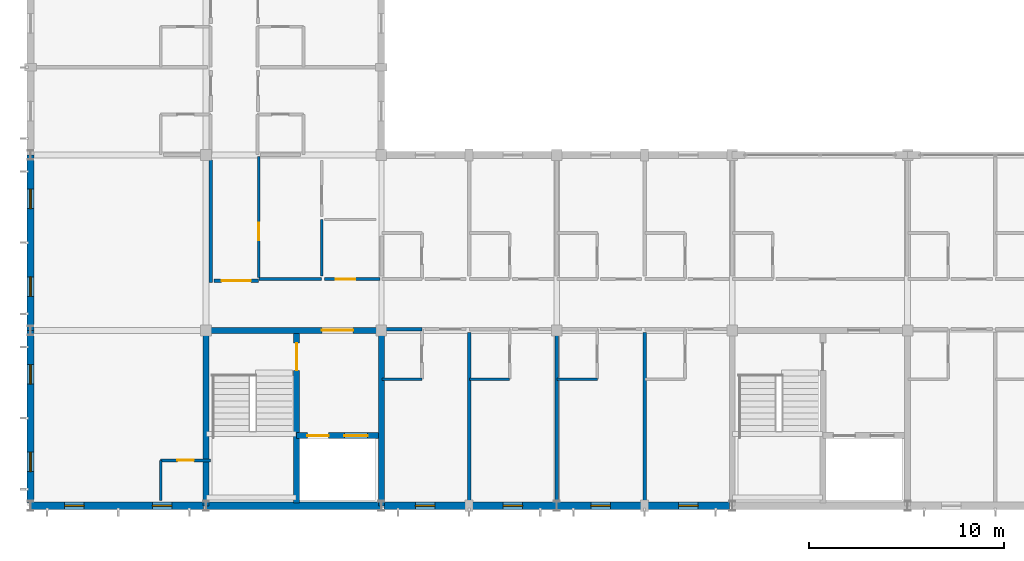
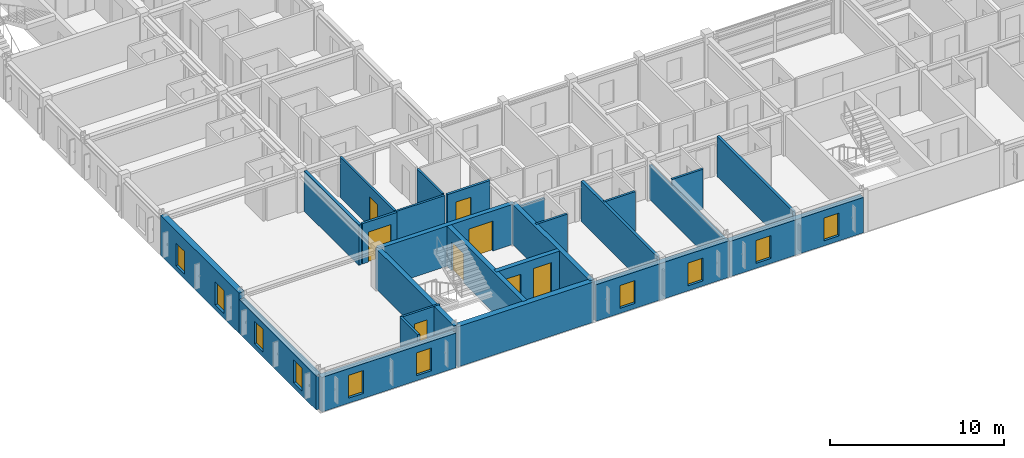
# One storey, part 14 of 30: 26 walls, 10 windows, 8 doors, 18 openings.
"""IFC4 building model written with IfcOpenShell, lengths in metres."""

from ifc_helpers import new_model, si_unit, direction, frame, frame_2d, origin, place, context, subcontext, project, spatial, rectangle, extrude, material, layer, layer_set, type_object, element, fill, save


model = new_model("IFC4")

# Units and contexts
model_context = context("Model", 3, precision=1e-05, world=origin(), true_north=direction((0.0, 1.0)))
body_context = subcontext(model_context, "Body", "Model", "MODEL_VIEW")
ifc_project = project(units=[si_unit("LENGTHUNIT", "METRE"), si_unit("AREAUNIT", "SQUARE_METRE"), si_unit("VOLUMEUNIT", "CUBIC_METRE"), si_unit("PLANEANGLEUNIT", "RADIAN"), si_unit("MASSUNIT", "GRAM", prefix="KILO")], contexts=[model_context])

# Site, building, storey
site_placement = place(None, origin())
site = spatial("IfcSite", under=ifc_project, at=site_placement, CompositionType="ELEMENT")
building_placement = place(site_placement, origin())
building = spatial("IfcBuilding", under=site, at=building_placement, Name="Palais des Congres Ocreval", CompositionType="ELEMENT")
storey_placement = place(building_placement, frame((0.0, 0.0, 14.56005859375)))
storey = spatial("IfcBuildingStorey", under=building, at=storey_placement, Name="L04", CompositionType="ELEMENT", Elevation=14.56005859375)

# Wall, opening, door
ifc_material_1 = material(Name="Moisture-resistant gypsum board")
ifc_layer_1 = layer(ifc_material_1, 0.139892578125)
ifc_layer_set_1 = layer_set([ifc_layer_1], Name="Bathroom Plumbing Chase Wall 140 Gypsum (Moisture-resistant gypsum board)")
wall_type_1 = type_object("IfcWallType", Name="Bathroom Plumbing Chase Wall 140 Gypsum", PredefinedType="PLUMBINGWALL", material=ifc_layer_set_1)
wall_1_placement = place(storey_placement, frame((6.679931640625, 2.330078125, 0.0), z_axis=(0.0, 0.0, 1.0), x_axis=(1.0, 0.0, 0.0)))
wall_1 = element("IfcWall", 1, at=wall_1_placement, inside=storey, type_object=wall_type_1, Name="Bathroom Plumbing Wall PW03 L04", PredefinedType="PLUMBINGWALL", context=body_context, shape_type="SweptSolid", body=[
    extrude(rectangle(XDim=2.56005859375, YDim=0.139892578125, at=frame_2d((1.280029296875, 0.0))), origin(), (0.0, 0.0, 1.0), 2.81982421875),
])
opening_1_placement = place(wall_1_placement, frame((0.85498046875, 0.0, 0.0)))
opening_1 = element("IfcOpeningElement", 2, at=opening_1_placement, cuts=wall_1, Name="Opening D08", PredefinedType="OPENING", context=body_context, shape_type="SweptSolid", body=[
    extrude(rectangle(XDim=0.85009765625, YDim=2.0400390625, at=frame_2d((0.425048828125, 1.02001953125))), frame((0.0, 0.079833984375, 0.0), z_axis=(0.0, -1.0, 0.0), x_axis=(1.0, 0.0, 0.0)), (0.0, 0.0, 1.0), 0.159912109375),
])
ifc_material_2 = material(Name="Solid French oak", Category="wood")
door_type_1 = type_object("IfcDoorType", Name="En-Suite Bathroom Door 850x2040", OperationType="NOTDEFINED", PredefinedType="DOOR", material=ifc_material_2)
door_1_placement = place(opening_1_placement, origin())
door_1 = element("IfcDoor", 3, at=door_1_placement, inside=storey, type_object=door_type_1, Name="En-Suite Bathroom Door D08 L04", OperationType="SINGLE_SWING_RIGHT", OverallHeight=2.0400390625, OverallWidth=0.85009765625, PredefinedType="DOOR", context=body_context, shape_type="SweptSolid", body=[
    extrude(rectangle(XDim=0.85009765625, YDim=2.0400390625, at=frame_2d((0.425048828125, 1.02001953125))), frame((0.0, 0.02490234375, 0.0), z_axis=(0.0, -1.0, 0.0), x_axis=(1.0, 0.0, 0.0)), (0.0, 0.0, 1.0), 0.050048828125),
])
fill(opening_1, door_1)

# Walls
for number, where, z_axis, x_axis, name in (
    (4, (6.679931640625, 0.27001953125, 0.0), (0.0, 0.0, 1.0), (0.0, 1.0, 0.0), "Bathroom Plumbing Wall PW03 L04"),
    (5, (18.02001953125, 6.5, 0.0), (0.0, 0.0, 1.0), (1.0, 0.0, 0.0), "Bathroom Plumbing Wall PW03 L04"),
    (6, (22.52001953125, 6.5, 0.0), (0.0, 0.0, 1.0), (1.0, 0.0, 0.0), "Bathroom Plumbing Wall PW03 L04"),
    (7, (27.02001953125, 6.5, 0.0), (0.0, 0.0, 1.0), (1.0, 0.0, 0.0), "Bathroom Plumbing Wall PW03 L04"),
):
    element("IfcWall", number, at=place(storey_placement, frame(where, z_axis=z_axis, x_axis=x_axis)), inside=storey, type_object=wall_type_1, Name=name, PredefinedType="PLUMBINGWALL", context=body_context, shape_type="SweptSolid", body=[
        extrude(rectangle(XDim=2.06005859375, YDim=0.139892578125, at=frame_2d((1.030029296875, 0.0))), origin(), (0.0, 0.0, 1.0), 2.81982421875),
    ])
wall_2_placement = place(storey_placement, frame((11.719970703125, 11.635009765625, 0.0), z_axis=(0.0, 0.0, 1.0), x_axis=(1.0, 0.0, 0.0)))
element("IfcWall", 8, at=wall_2_placement, inside=storey, type_object=wall_type_1, Name="Interior Partition PW03 L04", PredefinedType="PLUMBINGWALL", context=body_context, shape_type="SweptSolid", body=[
    extrude(rectangle(XDim=3.2099609375, YDim=0.139892578125, at=frame_2d((1.60498046875, 0.0))), origin(), (0.0, 0.0, 1.0), 2.81982421875),
])
wall_3_placement = place(storey_placement, frame((14.93505859375, 11.7900390625, 0.0), z_axis=(0.0, 0.0, 1.0), x_axis=(0.0, 1.0, 0.0)))
element("IfcWall", 9, at=wall_3_placement, inside=storey, type_object=wall_type_1, Name="Interior Partition PW03 L04", PredefinedType="PLUMBINGWALL", context=body_context, shape_type="SweptSolid", body=[
    extrude(rectangle(XDim=2.889892578125, YDim=0.139892578125, at=frame_2d((1.44482421875, 0.0))), origin(), (0.0, 0.0, 1.0), 2.81982421875),
])

# Wall, opening, door
wall_4_placement = place(storey_placement, frame((11.7099609375, 11.705078125, 0.0), z_axis=(0.0, 0.0, 1.0), x_axis=(0.0, 1.0, 0.0)))
wall_4 = element("IfcWall", 10, at=wall_4_placement, inside=storey, type_object=wall_type_1, Name="Interior Partition PW03 L04", PredefinedType="PLUMBINGWALL", context=body_context, shape_type="SweptSolid", body=[
    extrude(rectangle(XDim=6.219970703125, YDim=0.139892578125, at=frame_2d((3.10986328125, 0.0))), origin(), (0.0, 0.0, 1.0), 2.81982421875),
])
opening_2_placement = place(wall_4_placement, frame((1.91357421875, 0.0, 0.0)))
opening_2 = element("IfcOpeningElement", 11, at=opening_2_placement, cuts=wall_4, Name="Opening D09", PredefinedType="OPENING", context=body_context, shape_type="SweptSolid", body=[
    extrude(rectangle(XDim=0.89990234375, YDim=2.10009765625, at=frame_2d((0.449951171875, 1.050048828125))), frame((0.0, 0.079833984375, 0.0), z_axis=(0.0, -1.0, 0.0), x_axis=(1.0, 0.0, 0.0)), (0.0, 0.0, 1.0), 0.159912109375),
])
door_type_2 = type_object("IfcDoorType", Name="Accessible Restroom Door 900x2100", OperationType="NOTDEFINED", PredefinedType="DOOR", material=ifc_material_2)
door_2_placement = place(opening_2_placement, origin())
door_2 = element("IfcDoor", 12, at=door_2_placement, inside=storey, type_object=door_type_2, Name="Interior Door D09 L04", OperationType="SINGLE_SWING_LEFT", OverallHeight=2.10009765625, OverallWidth=0.89990234375, PredefinedType="DOOR", context=body_context, shape_type="SweptSolid", body=[
    extrude(rectangle(XDim=0.89990234375, YDim=2.10009765625, at=frame_2d((0.449951171875, 1.050048828125))), frame((0.0, 0.02490234375, 0.0), z_axis=(0.0, -1.0, 0.0), x_axis=(1.0, 0.0, 0.0)), (0.0, 0.0, 1.0), 0.050048828125),
])
fill(opening_2, door_2)

# Wall
ifc_material_3 = material(Name="Concrete C40/50", Category="concrete")
ifc_layer_2 = layer(ifc_material_3, 0.300048828125)
ifc_layer_set_2 = layer_set([ifc_layer_2], Name="Core Shear Wall 300 Concrete C40/50")
wall_type_2 = type_object("IfcWallType", Name="Core Shear Wall 300 Concrete C40/50", PredefinedType="SHEAR", material=ifc_layer_set_2)
wall_5_placement = place(storey_placement, frame((18.0, 0.0, 0.0), z_axis=(0.0, 0.0, 1.0), x_axis=(0.0, 1.0, 0.0)))
element("IfcWall", 13, at=wall_5_placement, inside=storey, type_object=wall_type_2, Name="Core Shear Wall SC01 L04 E", PredefinedType="SHEAR", context=body_context, shape_type="SweptSolid", body=[
    extrude(rectangle(XDim=9.0, YDim=0.300048828125, at=frame_2d((4.5, 0.0))), origin(), (0.0, 0.0, 1.0), 2.81982421875),
])

# Wall, opening, door
wall_6_placement = place(storey_placement, frame((9.0, 9.0, 0.0), z_axis=(0.0, 0.0, 1.0), x_axis=(1.0, 0.0, 0.0)))
wall_6 = element("IfcWall", 14, at=wall_6_placement, inside=storey, type_object=wall_type_2, Name="Core Shear Wall SC01 L04 N", PredefinedType="SHEAR", context=body_context, shape_type="SweptSolid", body=[
    extrude(rectangle(XDim=9.0, YDim=0.300048828125, at=frame_2d((4.5, 0.0))), origin(), (0.0, 0.0, 1.0), 2.81982421875),
])
opening_3_placement = place(wall_6_placement, frame((5.949951171875, 0.0, 0.0)))
opening_3 = element("IfcOpeningElement", 15, at=opening_3_placement, cuts=wall_6, Name="Opening D02", PredefinedType="OPENING", context=body_context, shape_type="SweptSolid", body=[
    extrude(rectangle(XDim=1.60009765625, YDim=2.10009765625, at=frame_2d((0.800048828125, 1.050048828125))), frame((0.0, 0.159912109375, 0.0), z_axis=(0.0, -1.0, 0.0), x_axis=(1.0, 0.0, 0.0)), (0.0, 0.0, 1.0), 0.320068359375),
])
ifc_material_4 = material(Name="Painted fire-rated steel", Category="steel")
door_type_3 = type_object("IfcDoorType", Name="Firefighting Lobby Rated Door 1600x2100", OperationType="NOTDEFINED", PredefinedType="DOOR", material=ifc_material_4)
door_3_placement = place(opening_3_placement, origin())
door_3 = element("IfcDoor", 16, at=door_3_placement, inside=storey, type_object=door_type_3, Name="Firefighting Lobby Entrance Door SC01 L04", OperationType="DOUBLE_DOOR_SINGLE_SWING", OverallHeight=2.10009765625, OverallWidth=1.60009765625, PredefinedType="DOOR", context=body_context, shape_type="SweptSolid", body=[
    extrude(rectangle(XDim=1.60009765625, YDim=2.10009765625, at=frame_2d((0.800048828125, 1.050048828125))), frame((0.0, 0.02490234375, 0.0), z_axis=(0.0, -1.0, 0.0), x_axis=(1.0, 0.0, 0.0)), (0.0, 0.0, 1.0), 0.050048828125),
])
fill(opening_3, door_3)

# Wall
wall_7_placement = place(storey_placement, frame((9.0, 0.0, 0.0), z_axis=(0.0, 0.0, 1.0), x_axis=(0.0, 1.0, 0.0)))
element("IfcWall", 17, at=wall_7_placement, inside=storey, type_object=wall_type_2, Name="Core Shear Wall SC01 L04 W", PredefinedType="SHEAR", context=body_context, shape_type="SweptSolid", body=[
    extrude(rectangle(XDim=9.0, YDim=0.300048828125, at=frame_2d((4.5, 0.0))), origin(), (0.0, 0.0, 1.0), 2.81982421875),
])

# Wall, opening, door
wall_8_placement = place(storey_placement, frame((13.64990234375, 0.14990234375, 0.0), z_axis=(0.0, 0.0, 1.0), x_axis=(0.0, 1.0, 0.0)))
wall_8 = element("IfcWall", 18, at=wall_8_placement, inside=storey, type_object=wall_type_2, Name="Core Spine Shear Wall SC01 L04", PredefinedType="SHEAR", context=body_context, shape_type="SweptSolid", body=[
    extrude(rectangle(XDim=8.7001953125, YDim=0.300048828125, at=frame_2d((4.35009765625, 0.0))), origin(), (0.0, 0.0, 1.0), 2.81982421875),
])
opening_4_placement = place(wall_8_placement, frame((6.800048828125, 0.0, 0.0)))
opening_4 = element("IfcOpeningElement", 19, at=opening_4_placement, cuts=wall_8, Name="Opening D03", PredefinedType="OPENING", context=body_context, shape_type="SweptSolid", body=[
    extrude(rectangle(XDim=1.39990234375, YDim=2.02001953125, at=frame_2d((0.699951171875, 1.010009765625))), frame((0.0, 0.159912109375, 0.0), z_axis=(0.0, -1.0, 0.0), x_axis=(1.0, 0.0, 0.0)), (0.0, 0.0, 1.0), 0.320068359375),
])
door_type_4 = type_object("IfcDoorType", Name="Core Lobby Rated Door 1400x2020", OperationType="NOTDEFINED", PredefinedType="DOOR", material=ifc_material_4)
door_4_placement = place(opening_4_placement, origin())
door_4 = element("IfcDoor", 20, at=door_4_placement, inside=storey, type_object=door_type_4, Name="Protected Exit Stair Door ST01 L04", OperationType="SINGLE_SWING_LEFT", OverallHeight=2.02001953125, OverallWidth=1.39990234375, PredefinedType="DOOR", context=body_context, shape_type="SweptSolid", body=[
    extrude(rectangle(XDim=1.39990234375, YDim=2.02001953125, at=frame_2d((0.699951171875, 1.010009765625))), frame((0.0, 0.02490234375, 0.0), z_axis=(0.0, -1.0, 0.0), x_axis=(1.0, 0.0, 0.0)), (0.0, 0.0, 1.0), 0.050048828125),
])
fill(opening_4, door_4)

# Wall, openings, doors
wall_9_placement = place(storey_placement, frame((13.64990234375, 3.60009765625, 0.0), z_axis=(0.0, 0.0, 1.0), x_axis=(1.0, 0.0, 0.0)))
wall_9 = element("IfcWall", 21, at=wall_9_placement, inside=storey, type_object=wall_type_2, Name="Lift Shaft Front Wall SC01 L04", PredefinedType="SHEAR", context=body_context, shape_type="SweptSolid", body=[
    extrude(rectangle(XDim=4.2001953125, YDim=0.300048828125, at=frame_2d((2.10009765625, 0.0))), origin(), (0.0, 0.0, 1.0), 2.81982421875),
])
opening_5_placement = place(wall_9_placement, frame((0.550048828125, 0.0, 0.0)))
opening_5 = element("IfcOpeningElement", 22, at=opening_5_placement, cuts=wall_9, Name="Opening LD01", PredefinedType="OPENING", context=body_context, shape_type="SweptSolid", body=[
    extrude(rectangle(XDim=1.10009765625, YDim=2.10009765625, at=frame_2d((0.550048828125, 1.050048828125))), frame((0.0, 0.159912109375, 0.0), z_axis=(0.0, -1.0, 0.0), x_axis=(1.0, 0.0, 0.0)), (0.0, 0.0, 1.0), 0.320068359375),
])
opening_6_placement = place(wall_9_placement, frame((2.449951171875, 0.0, 0.0)))
opening_6 = element("IfcOpeningElement", 23, at=opening_6_placement, cuts=wall_9, Name="Opening LD02", PredefinedType="OPENING", context=body_context, shape_type="SweptSolid", body=[
    extrude(rectangle(XDim=1.199951171875, YDim=2.199951171875, at=frame_2d((0.60009765625, 1.10009765625))), frame((0.0, 0.159912109375, 0.0), z_axis=(0.0, -1.0, 0.0), x_axis=(1.0, 0.0, 0.0)), (0.0, 0.0, 1.0), 0.320068359375),
])
ifc_material_5 = material(Name="Stainless steel", Category="steel")
door_type_5 = type_object("IfcDoorType", Name="Firefighting Lift Sliding Landing Door 1100x2100", OperationType="NOTDEFINED", PredefinedType="DOOR", material=ifc_material_5)
door_5_placement = place(opening_5_placement, origin())
door_5 = element("IfcDoor", 24, at=door_5_placement, inside=storey, type_object=door_type_5, Name="Lift Landing Sliding Door FF1 L04", OperationType="DOUBLE_DOOR_SLIDING", OverallHeight=2.10009765625, OverallWidth=1.10009765625, PredefinedType="DOOR", context=body_context, shape_type="SweptSolid", body=[
    extrude(rectangle(XDim=1.10009765625, YDim=2.10009765625, at=frame_2d((0.550048828125, 1.050048828125))), frame((0.0, 0.02490234375, 0.0), z_axis=(0.0, -1.0, 0.0), x_axis=(1.0, 0.0, 0.0)), (0.0, 0.0, 1.0), 0.050048828125),
])
fill(opening_5, door_5)
ifc_material_6 = material(Name="Anodized bronze steel", Category="steel")
door_type_6 = type_object("IfcDoorType", Name="Passenger and Service Lift Sliding Door 1200x2200", OperationType="NOTDEFINED", PredefinedType="DOOR", material=ifc_material_6)
door_6_placement = place(opening_6_placement, origin())
door_6 = element("IfcDoor", 25, at=door_6_placement, inside=storey, type_object=door_type_6, Name="Lift Landing Sliding Door PL1 L04", OperationType="DOUBLE_DOOR_SLIDING", OverallHeight=2.199951171875, OverallWidth=1.199951171875, PredefinedType="DOOR", context=body_context, shape_type="SweptSolid", body=[
    extrude(rectangle(XDim=1.199951171875, YDim=2.199951171875, at=frame_2d((0.60009765625, 1.10009765625))), frame((0.0, 0.02490234375, 0.0), z_axis=(0.0, -1.0, 0.0), x_axis=(1.0, 0.0, 0.0)), (0.0, 0.0, 1.0), 0.050048828125),
])
fill(opening_6, door_6)

# Wall
ifc_material_7 = material(Name="Gypsum acoustic partition")
ifc_layer_3 = layer(ifc_material_7, 0.159912109375)
ifc_layer_set_3 = layer_set([ifc_layer_3], Name="Corridor Fire Partition 160 Gypsum (Gypsum acoustic partition)")
wall_type_3 = type_object("IfcWallType", Name="Corridor Fire Partition 160 Gypsum", PredefinedType="PARTITIONING", material=ifc_layer_set_3)
wall_10_placement = place(storey_placement, frame((18.02001953125, 9.06005859375, 0.0), z_axis=(0.0, 0.0, 1.0), x_axis=(1.0, 0.0, 0.0)))
element("IfcWall", 26, at=wall_10_placement, inside=storey, type_object=wall_type_3, Name="Corridor Partition IW03 L04", PredefinedType="PARTITIONING", context=body_context, shape_type="SweptSolid", body=[
    extrude(rectangle(XDim=2.06005859375, YDim=0.159912109375, at=frame_2d((1.030029296875, 0.0))), origin(), (0.0, 0.0, 1.0), 2.389892578125),
])

# Wall, opening, door
wall_11_placement = place(storey_placement, frame((9.405029296875, 11.550048828125, 0.0), z_axis=(0.0, 0.0, 1.0), x_axis=(1.0, 0.0, 0.0)))
wall_11 = element("IfcWall", 27, at=wall_11_placement, inside=storey, type_object=wall_type_3, Name="Interior Partition IW03 L04", PredefinedType="PARTITIONING", context=body_context, shape_type="SweptSolid", body=[
    extrude(rectangle(XDim=2.294921875, YDim=0.159912109375, at=frame_2d((1.1474609375, 0.0))), origin(), (0.0, 0.0, 1.0), 2.81982421875),
])
opening_7_placement = place(wall_11_placement, frame((0.3974609375, 0.0, 0.0)))
opening_7 = element("IfcOpeningElement", 28, at=opening_7_placement, cuts=wall_11, Name="Opening D04", PredefinedType="OPENING", context=body_context, shape_type="SweptSolid", body=[
    extrude(rectangle(XDim=1.5, YDim=2.10009765625, at=frame_2d((0.75, 1.050048828125))), frame((0.0, 0.08984375, 0.0), z_axis=(0.0, -1.0, 0.0), x_axis=(1.0, 0.0, 0.0)), (0.0, 0.0, 1.0), 0.179931640625),
])
ifc_material_8 = material(Name="Solid French oak fire door", Category="wood")
door_type_7 = type_object("IfcDoorType", Name="Corridor Compartment Double Door 1500x2100", OperationType="NOTDEFINED", PredefinedType="DOOR", material=ifc_material_8)
door_7_placement = place(opening_7_placement, origin())
door_7 = element("IfcDoor", 29, at=door_7_placement, inside=storey, type_object=door_type_7, Name="Interior Door D04 L04", OperationType="DOUBLE_DOOR_SINGLE_SWING", OverallHeight=2.10009765625, OverallWidth=1.5, PredefinedType="DOOR", context=body_context, shape_type="SweptSolid", body=[
    extrude(rectangle(XDim=1.5, YDim=2.10009765625, at=frame_2d((0.75, 1.050048828125))), frame((0.0, 0.02490234375, 0.0), z_axis=(0.0, -1.0, 0.0), x_axis=(1.0, 0.0, 0.0)), (0.0, 0.0, 1.0), 0.050048828125),
])
fill(opening_7, door_7)

wall_12_placement = place(storey_placement, frame((15.090087890625, 11.635009765625, 0.0), z_axis=(0.0, 0.0, 1.0), x_axis=(1.0, 0.0, 0.0)))
wall_12 = element("IfcWall", 30, at=wall_12_placement, inside=storey, type_object=wall_type_3, Name="Interior Partition IW03 L04", PredefinedType="PARTITIONING", context=body_context, shape_type="SweptSolid", body=[
    extrude(rectangle(XDim=2.8349609375, YDim=0.159912109375, at=frame_2d((1.41748046875, 0.0))), origin(), (0.0, 0.0, 1.0), 2.81982421875),
])
opening_8_placement = place(wall_12_placement, frame((0.577392578125, 0.0, 0.0)))
opening_8 = element("IfcOpeningElement", 31, at=opening_8_placement, cuts=wall_12, Name="Opening D10", PredefinedType="OPENING", context=body_context, shape_type="SweptSolid", body=[
    extrude(rectangle(XDim=1.0, YDim=2.10009765625, at=frame_2d((0.5, 1.050048828125))), frame((0.0, 0.08984375, 0.0), z_axis=(0.0, -1.0, 0.0), x_axis=(1.0, 0.0, 0.0)), (0.0, 0.0, 1.0), 0.179931640625),
])
ifc_material_9 = material(Name="Painted steel", Category="steel")
door_type_8 = type_object("IfcDoorType", Name="Service and Pantry Door 1000x2100", OperationType="NOTDEFINED", PredefinedType="DOOR", material=ifc_material_9)
door_8_placement = place(opening_8_placement, origin())
door_8 = element("IfcDoor", 32, at=door_8_placement, inside=storey, type_object=door_type_8, Name="Interior Door D10 L04", OperationType="SINGLE_SWING_LEFT", OverallHeight=2.10009765625, OverallWidth=1.0, PredefinedType="DOOR", context=body_context, shape_type="SweptSolid", body=[
    extrude(rectangle(XDim=1.0, YDim=2.10009765625, at=frame_2d((0.5, 1.050048828125))), frame((0.0, 0.02490234375, 0.0), z_axis=(0.0, -1.0, 0.0), x_axis=(1.0, 0.0, 0.0)), (0.0, 0.0, 1.0), 0.050048828125),
])
fill(opening_8, door_8)

# Walls
ifc_layer_4 = layer(ifc_material_7, 0.179931640625)
ifc_layer_set_4 = layer_set([ifc_layer_4], Name="Hotel Inter-Room Acoustic Partition 180 Gypsum (Gypsum acoustic partition)")
wall_type_4 = type_object("IfcWallType", Name="Hotel Inter-Room Acoustic Partition 180 Gypsum", PredefinedType="PARTITIONING", material=ifc_layer_set_4)
wall_13_placement = place(storey_placement, frame((9.25, 11.449951171875, 0.0), z_axis=(0.0, 0.0, 1.0), x_axis=(0.0, 1.0, 0.0)))
element("IfcWall", 33, at=wall_13_placement, inside=storey, type_object=wall_type_4, Name="Hotel Party Partition IW02 L04", PredefinedType="PARTITIONING", context=body_context, shape_type="SweptSolid", body=[
    extrude(rectangle(XDim=6.300048828125, YDim=0.179931640625, at=frame_2d((3.14990234375, 0.0))), origin(), (0.0, 0.0, 1.0), 2.81982421875),
])
wall_14_placement = place(storey_placement, frame((22.5, 0.195068359375, 0.0), z_axis=(0.0, 0.0, 1.0), x_axis=(0.0, 1.0, 0.0)))
element("IfcWall", 34, at=wall_14_placement, inside=storey, type_object=wall_type_4, Name="Hotel Party Partition IW02 L04", PredefinedType="PARTITIONING", context=body_context, shape_type="SweptSolid", body=[
    extrude(rectangle(XDim=8.7099609375, YDim=0.179931640625, at=frame_2d((4.35498046875, 0.0))), origin(), (0.0, 0.0, 1.0), 2.81982421875),
])
wall_15_placement = place(storey_placement, frame((27.0, 0.195068359375, 0.0), z_axis=(0.0, 0.0, 1.0), x_axis=(0.0, 1.0, 0.0)))
element("IfcWall", 35, at=wall_15_placement, inside=storey, type_object=wall_type_4, Name="Hotel Party Partition IW02 L04", PredefinedType="PARTITIONING", context=body_context, shape_type="SweptSolid", body=[
    extrude(rectangle(XDim=8.7099609375, YDim=0.179931640625, at=frame_2d((4.35498046875, 0.0))), origin(), (0.0, 0.0, 1.0), 2.389892578125),
])
wall_16_placement = place(storey_placement, frame((31.5, 0.195068359375, 0.0), z_axis=(0.0, 0.0, 1.0), x_axis=(0.0, 1.0, 0.0)))
element("IfcWall", 36, at=wall_16_placement, inside=storey, type_object=wall_type_4, Name="Hotel Party Partition IW02 L04", PredefinedType="PARTITIONING", context=body_context, shape_type="SweptSolid", body=[
    extrude(rectangle(XDim=8.7099609375, YDim=0.179931640625, at=frame_2d((4.35498046875, 0.0))), origin(), (0.0, 0.0, 1.0), 2.81982421875),
])

# Wall, openings, windows
ifc_layer_5 = layer(ifc_material_3, 0.3798828125)
ifc_layer_set_5 = layer_set([ifc_layer_5], Name="Lutetian Limestone Street Wall 380 Concrete C40/50")
wall_type_5 = type_object("IfcWallType", Name="Lutetian Limestone Street Wall 380 Concrete C40/50", PredefinedType="SOLIDWALL", material=ifc_layer_set_5)
wall_17_placement = place(storey_placement, frame((35.8701171875, 0.0, 0.0), z_axis=(0.0, 0.0, 1.0), x_axis=(-1.0, 0.0, 0.0)))
wall_17 = element("IfcWall", 37, at=wall_17_placement, inside=storey, type_object=wall_type_5, Name="Exterior Wall EW03 L04", PredefinedType="SOLIDWALL", context=body_context, shape_type="SweptSolid", body=[
    extrude(rectangle(XDim=8.8701171875, YDim=0.3798828125, at=frame_2d((4.43505859375, 0.0))), origin(), (0.0, 0.0, 1.0), 2.47998046875),
])
opening_9_placement = place(wall_17_placement, frame((1.6201171875, 0.0, 0.35009765625)))
opening_9 = element("IfcOpeningElement", 38, at=opening_9_placement, cuts=wall_17, Name="Opening WN18", PredefinedType="OPENING", context=body_context, shape_type="SweptSolid", body=[
    extrude(rectangle(XDim=1.0, YDim=1.60009765625, at=frame_2d((0.5, 0.800048828125))), frame((0.0, 0.199951171875, 0.0), z_axis=(0.0, -1.0, 0.0), x_axis=(1.0, 0.0, 0.0)), (0.0, 0.0, 1.0), 0.39990234375),
])
opening_10_placement = place(wall_17_placement, frame((6.1201171875, 0.0, 0.35009765625)))
opening_10 = element("IfcOpeningElement", 39, at=opening_10_placement, cuts=wall_17, Name="Opening WN18", PredefinedType="OPENING", context=body_context, shape_type="SweptSolid", body=[
    extrude(rectangle(XDim=1.0, YDim=1.60009765625, at=frame_2d((0.5, 0.800048828125))), frame((0.0, 0.199951171875, 0.0), z_axis=(0.0, -1.0, 0.0), x_axis=(1.0, 0.0, 0.0)), (0.0, 0.0, 1.0), 0.39990234375),
])
ifc_material_10 = material(Name="Anodized bronze aluminium and low-E glass", Category="glass")
window_type = type_object("IfcWindowType", Name="Stair and Lobby Daylight Window 1000x1600", PartitioningType="SINGLE_PANEL", PredefinedType="WINDOW", material=ifc_material_10)
window_1_placement = place(opening_9_placement, origin())
window_1 = element("IfcWindow", 40, at=window_1_placement, inside=storey, type_object=window_type, Name="Hotel Facade Window WN18", OverallHeight=1.60009765625, OverallWidth=1.0, PartitioningType="SINGLE_PANEL", PredefinedType="WINDOW", context=body_context, shape_type="SweptSolid", body=[
    extrude(rectangle(XDim=1.0, YDim=1.60009765625, at=frame_2d((0.5, 0.800048828125))), frame((0.0, 0.030029296875, 0.0), z_axis=(0.0, -1.0, 0.0), x_axis=(1.0, 0.0, 0.0)), (0.0, 0.0, 1.0), 0.06005859375),
])
fill(opening_9, window_1)
window_2_placement = place(opening_10_placement, origin())
window_2 = element("IfcWindow", 41, at=window_2_placement, inside=storey, type_object=window_type, Name="Hotel Facade Window WN18", OverallHeight=1.60009765625, OverallWidth=1.0, PartitioningType="SINGLE_PANEL", PredefinedType="WINDOW", context=body_context, shape_type="SweptSolid", body=[
    extrude(rectangle(XDim=1.0, YDim=1.60009765625, at=frame_2d((0.5, 0.800048828125))), frame((0.0, 0.030029296875, 0.0), z_axis=(0.0, -1.0, 0.0), x_axis=(1.0, 0.0, 0.0)), (0.0, 0.0, 1.0), 0.06005859375),
])
fill(opening_10, window_2)

wall_18_placement = place(storey_placement, frame((27.0, 0.0, 0.0), z_axis=(0.0, 0.0, 1.0), x_axis=(-1.0, 0.0, 0.0)))
wall_18 = element("IfcWall", 42, at=wall_18_placement, inside=storey, type_object=wall_type_5, Name="Exterior Wall EW03 L04", PredefinedType="SOLIDWALL", context=body_context, shape_type="SweptSolid", body=[
    extrude(rectangle(XDim=8.8701171875, YDim=0.3798828125, at=frame_2d((4.43505859375, 0.0))), origin(), (0.0, 0.0, 1.0), 2.550048828125),
])
opening_11_placement = place(wall_18_placement, frame((1.75, 0.0, 0.35009765625)))
opening_11 = element("IfcOpeningElement", 43, at=opening_11_placement, cuts=wall_18, Name="Opening WN18", PredefinedType="OPENING", context=body_context, shape_type="SweptSolid", body=[
    extrude(rectangle(XDim=1.0, YDim=1.60009765625, at=frame_2d((0.5, 0.800048828125))), frame((0.0, 0.199951171875, 0.0), z_axis=(0.0, -1.0, 0.0), x_axis=(1.0, 0.0, 0.0)), (0.0, 0.0, 1.0), 0.39990234375),
])
opening_12_placement = place(wall_18_placement, frame((6.25, 0.0, 0.35009765625)))
opening_12 = element("IfcOpeningElement", 44, at=opening_12_placement, cuts=wall_18, Name="Opening WN18", PredefinedType="OPENING", context=body_context, shape_type="SweptSolid", body=[
    extrude(rectangle(XDim=1.0, YDim=1.60009765625, at=frame_2d((0.5, 0.800048828125))), frame((0.0, 0.199951171875, 0.0), z_axis=(0.0, -1.0, 0.0), x_axis=(1.0, 0.0, 0.0)), (0.0, 0.0, 1.0), 0.39990234375),
])
window_3_placement = place(opening_11_placement, origin())
window_3 = element("IfcWindow", 45, at=window_3_placement, inside=storey, type_object=window_type, Name="Hotel Facade Window WN18", OverallHeight=1.60009765625, OverallWidth=1.0, PartitioningType="SINGLE_PANEL", PredefinedType="WINDOW", context=body_context, shape_type="SweptSolid", body=[
    extrude(rectangle(XDim=1.0, YDim=1.60009765625, at=frame_2d((0.5, 0.800048828125))), frame((0.0, 0.030029296875, 0.0), z_axis=(0.0, -1.0, 0.0), x_axis=(1.0, 0.0, 0.0)), (0.0, 0.0, 1.0), 0.06005859375),
])
fill(opening_11, window_3)
window_4_placement = place(opening_12_placement, origin())
window_4 = element("IfcWindow", 46, at=window_4_placement, inside=storey, type_object=window_type, Name="Hotel Facade Window WN18", OverallHeight=1.60009765625, OverallWidth=1.0, PartitioningType="SINGLE_PANEL", PredefinedType="WINDOW", context=body_context, shape_type="SweptSolid", body=[
    extrude(rectangle(XDim=1.0, YDim=1.60009765625, at=frame_2d((0.5, 0.800048828125))), frame((0.0, 0.030029296875, 0.0), z_axis=(0.0, -1.0, 0.0), x_axis=(1.0, 0.0, 0.0)), (0.0, 0.0, 1.0), 0.06005859375),
])
fill(opening_12, window_4)

# Wall
wall_19_placement = place(storey_placement, frame((18.0, 0.0, 0.0), z_axis=(0.0, 0.0, 1.0), x_axis=(-1.0, 0.0, 0.0)))
element("IfcWall", 47, at=wall_19_placement, inside=storey, type_object=wall_type_5, Name="Core Perimeter Shear Wall EW03 SC01 L04", PredefinedType="SOLIDWALL", context=body_context, shape_type="SweptSolid", body=[
    extrude(rectangle(XDim=9.0, YDim=0.3798828125, at=frame_2d((4.5, 0.0))), origin(), (0.0, 0.0, 1.0), 2.81982421875),
])

# Wall, openings, windows
wall_20_placement = place(storey_placement, frame((8.8701171875, 0.0, 0.0), z_axis=(0.0, 0.0, 1.0), x_axis=(-1.0, 0.0, 0.0)))
wall_20 = element("IfcWall", 48, at=wall_20_placement, inside=storey, type_object=wall_type_5, Name="Exterior Wall EW03 L04", PredefinedType="SOLIDWALL", context=body_context, shape_type="SweptSolid", body=[
    extrude(rectangle(XDim=8.8701171875, YDim=0.3798828125, at=frame_2d((4.43505859375, 0.0))), origin(), (0.0, 0.0, 1.0), 2.419921875),
])
opening_13_placement = place(wall_20_placement, frame((1.6201171875, 0.0, 0.35009765625)))
opening_13 = element("IfcOpeningElement", 49, at=opening_13_placement, cuts=wall_20, Name="Opening WN18", PredefinedType="OPENING", context=body_context, shape_type="SweptSolid", body=[
    extrude(rectangle(XDim=1.0, YDim=1.60009765625, at=frame_2d((0.5, 0.800048828125))), frame((0.0, 0.199951171875, 0.0), z_axis=(0.0, -1.0, 0.0), x_axis=(1.0, 0.0, 0.0)), (0.0, 0.0, 1.0), 0.39990234375),
])
opening_14_placement = place(wall_20_placement, frame((6.1201171875, 0.0, 0.35009765625)))
opening_14 = element("IfcOpeningElement", 50, at=opening_14_placement, cuts=wall_20, Name="Opening WN18", PredefinedType="OPENING", context=body_context, shape_type="SweptSolid", body=[
    extrude(rectangle(XDim=1.0, YDim=1.60009765625, at=frame_2d((0.5, 0.800048828125))), frame((0.0, 0.199951171875, 0.0), z_axis=(0.0, -1.0, 0.0), x_axis=(1.0, 0.0, 0.0)), (0.0, 0.0, 1.0), 0.39990234375),
])
window_5_placement = place(opening_13_placement, origin())
window_5 = element("IfcWindow", 51, at=window_5_placement, inside=storey, type_object=window_type, Name="Hotel Facade Window WN18", OverallHeight=1.60009765625, OverallWidth=1.0, PartitioningType="SINGLE_PANEL", PredefinedType="WINDOW", context=body_context, shape_type="SweptSolid", body=[
    extrude(rectangle(XDim=1.0, YDim=1.60009765625, at=frame_2d((0.5, 0.800048828125))), frame((0.0, 0.030029296875, 0.0), z_axis=(0.0, -1.0, 0.0), x_axis=(1.0, 0.0, 0.0)), (0.0, 0.0, 1.0), 0.06005859375),
])
fill(opening_13, window_5)
window_6_placement = place(opening_14_placement, origin())
window_6 = element("IfcWindow", 52, at=window_6_placement, inside=storey, type_object=window_type, Name="Hotel Facade Window WN18", OverallHeight=1.60009765625, OverallWidth=1.0, PartitioningType="SINGLE_PANEL", PredefinedType="WINDOW", context=body_context, shape_type="SweptSolid", body=[
    extrude(rectangle(XDim=1.0, YDim=1.60009765625, at=frame_2d((0.5, 0.800048828125))), frame((0.0, 0.030029296875, 0.0), z_axis=(0.0, -1.0, 0.0), x_axis=(1.0, 0.0, 0.0)), (0.0, 0.0, 1.0), 0.06005859375),
])
fill(opening_14, window_6)

wall_21_placement = place(storey_placement, frame((0.0, 0.155029296875, 0.0), z_axis=(0.0, 0.0, 1.0), x_axis=(0.0, 1.0, 0.0)))
wall_21 = element("IfcWall", 53, at=wall_21_placement, inside=storey, type_object=wall_type_5, Name="Exterior Wall EW03 L04", PredefinedType="SOLIDWALL", context=body_context, shape_type="SweptSolid", body=[
    extrude(rectangle(XDim=8.844970703125, YDim=0.3798828125, at=frame_2d((4.42236328125, 0.0))), origin(), (0.0, 0.0, 1.0), 2.3798828125),
])
opening_15_placement = place(wall_21_placement, frame((1.594970703125, 0.0, 0.35009765625)))
opening_15 = element("IfcOpeningElement", 54, at=opening_15_placement, cuts=wall_21, Name="Opening WN18", PredefinedType="OPENING", context=body_context, shape_type="SweptSolid", body=[
    extrude(rectangle(XDim=1.0, YDim=1.60009765625, at=frame_2d((0.5, 0.800048828125))), frame((0.0, 0.199951171875, 0.0), z_axis=(0.0, -1.0, 0.0), x_axis=(1.0, 0.0, 0.0)), (0.0, 0.0, 1.0), 0.39990234375),
])
opening_16_placement = place(wall_21_placement, frame((6.094970703125, 0.0, 0.35009765625)))
opening_16 = element("IfcOpeningElement", 55, at=opening_16_placement, cuts=wall_21, Name="Opening WN18", PredefinedType="OPENING", context=body_context, shape_type="SweptSolid", body=[
    extrude(rectangle(XDim=1.0, YDim=1.60009765625, at=frame_2d((0.5, 0.800048828125))), frame((0.0, 0.199951171875, 0.0), z_axis=(0.0, -1.0, 0.0), x_axis=(1.0, 0.0, 0.0)), (0.0, 0.0, 1.0), 0.39990234375),
])
window_7_placement = place(opening_15_placement, origin())
window_7 = element("IfcWindow", 56, at=window_7_placement, inside=storey, type_object=window_type, Name="Hotel Facade Window WN18", OverallHeight=1.60009765625, OverallWidth=1.0, PartitioningType="SINGLE_PANEL", PredefinedType="WINDOW", context=body_context, shape_type="SweptSolid", body=[
    extrude(rectangle(XDim=1.0, YDim=1.60009765625, at=frame_2d((0.5, 0.800048828125))), frame((0.0, 0.030029296875, 0.0), z_axis=(0.0, -1.0, 0.0), x_axis=(1.0, 0.0, 0.0)), (0.0, 0.0, 1.0), 0.06005859375),
])
fill(opening_15, window_7)
window_8_placement = place(opening_16_placement, origin())
window_8 = element("IfcWindow", 57, at=window_8_placement, inside=storey, type_object=window_type, Name="Hotel Facade Window WN18", OverallHeight=1.60009765625, OverallWidth=1.0, PartitioningType="SINGLE_PANEL", PredefinedType="WINDOW", context=body_context, shape_type="SweptSolid", body=[
    extrude(rectangle(XDim=1.0, YDim=1.60009765625, at=frame_2d((0.5, 0.800048828125))), frame((0.0, 0.030029296875, 0.0), z_axis=(0.0, -1.0, 0.0), x_axis=(1.0, 0.0, 0.0)), (0.0, 0.0, 1.0), 0.06005859375),
])
fill(opening_16, window_8)

wall_22_placement = place(storey_placement, frame((0.0, 9.0, 0.0), z_axis=(0.0, 0.0, 1.0), x_axis=(0.0, 1.0, 0.0)))
wall_22 = element("IfcWall", 58, at=wall_22_placement, inside=storey, type_object=wall_type_5, Name="Exterior Wall EW03 L04", PredefinedType="SOLIDWALL", context=body_context, shape_type="SweptSolid", body=[
    extrude(rectangle(XDim=9.0, YDim=0.3798828125, at=frame_2d((4.5, 0.0))), origin(), (0.0, 0.0, 1.0), 2.81982421875),
])
opening_17_placement = place(wall_22_placement, frame((1.75, 0.0, 0.35009765625)))
opening_17 = element("IfcOpeningElement", 59, at=opening_17_placement, cuts=wall_22, Name="Opening WN18", PredefinedType="OPENING", context=body_context, shape_type="SweptSolid", body=[
    extrude(rectangle(XDim=1.0, YDim=1.60009765625, at=frame_2d((0.5, 0.800048828125))), frame((0.0, 0.199951171875, 0.0), z_axis=(0.0, -1.0, 0.0), x_axis=(1.0, 0.0, 0.0)), (0.0, 0.0, 1.0), 0.39990234375),
])
opening_18_placement = place(wall_22_placement, frame((6.25, 0.0, 0.35009765625)))
opening_18 = element("IfcOpeningElement", 60, at=opening_18_placement, cuts=wall_22, Name="Opening WN18", PredefinedType="OPENING", context=body_context, shape_type="SweptSolid", body=[
    extrude(rectangle(XDim=1.0, YDim=1.60009765625, at=frame_2d((0.5, 0.800048828125))), frame((0.0, 0.199951171875, 0.0), z_axis=(0.0, -1.0, 0.0), x_axis=(1.0, 0.0, 0.0)), (0.0, 0.0, 1.0), 0.39990234375),
])
window_9_placement = place(opening_17_placement, origin())
window_9 = element("IfcWindow", 61, at=window_9_placement, inside=storey, type_object=window_type, Name="Hotel Facade Window WN18", OverallHeight=1.60009765625, OverallWidth=1.0, PartitioningType="SINGLE_PANEL", PredefinedType="WINDOW", context=body_context, shape_type="SweptSolid", body=[
    extrude(rectangle(XDim=1.0, YDim=1.60009765625, at=frame_2d((0.5, 0.800048828125))), frame((0.0, 0.030029296875, 0.0), z_axis=(0.0, -1.0, 0.0), x_axis=(1.0, 0.0, 0.0)), (0.0, 0.0, 1.0), 0.06005859375),
])
fill(opening_17, window_9)
window_10_placement = place(opening_18_placement, origin())
window_10 = element("IfcWindow", 62, at=window_10_placement, inside=storey, type_object=window_type, Name="Hotel Facade Window WN18", OverallHeight=1.60009765625, OverallWidth=1.0, PartitioningType="SINGLE_PANEL", PredefinedType="WINDOW", context=body_context, shape_type="SweptSolid", body=[
    extrude(rectangle(XDim=1.0, YDim=1.60009765625, at=frame_2d((0.5, 0.800048828125))), frame((0.0, 0.030029296875, 0.0), z_axis=(0.0, -1.0, 0.0), x_axis=(1.0, 0.0, 0.0)), (0.0, 0.0, 1.0), 0.06005859375),
])
fill(opening_18, window_10)

save(model, "model.ifc")
